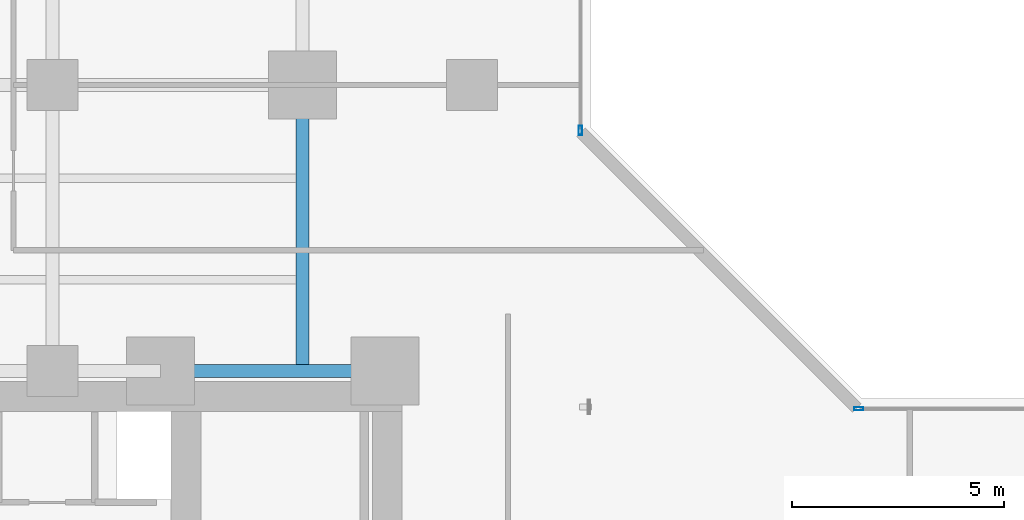
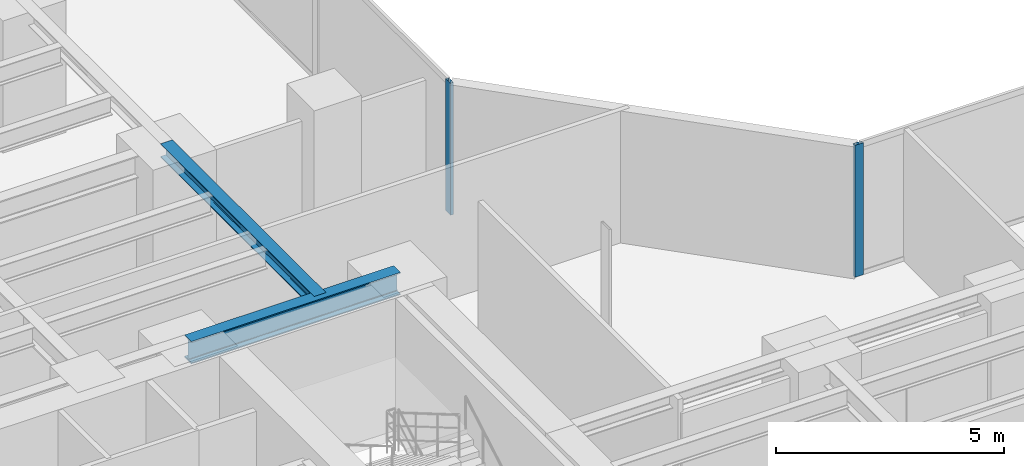
# One storey, part 8 of 29: 2 beams, 2 members, 2 elements without a shape of their own.
"""IFC4 building model written with IfcOpenShell, lengths in metres."""

import ifcopenshell
import ifcopenshell.guid

model = None  # the IFC model being written
_history = None  # IfcOwnerHistory: only IFC2X3 demands one
_inside = {}  # id of a spatial element -> (the spatial element, [elements in it])
_under = {}  # id of a project, library or spatial element -> (it, [spatial elements below it])
_declared = {}  # id of a project -> (the project, [libraries it declares])
_typed = {}  # id of a type object -> (the type object, [elements of that type])
_made_of = {}  # id of a material, layer set ... -> (it, [elements and type objects made of it])


def new_model(schema):
    """Start an empty IFC model of exactly this schema.

    Asked for "IFC4X3", IfcOpenShell would pick the latest addendum, in which some entities
    have other attributes; the version numbers below select the first issue.
    IFC2X3 requires an IfcOwnerHistory on every rooted entity: one is made here for all.
    """
    global model, _history
    if schema == "IFC4X3":
        model = ifcopenshell.file(schema_version=(4, 3, 0, 0))
    else:
        model = ifcopenshell.file(schema=schema)
    _inside.clear()
    _under.clear()
    _declared.clear()
    _typed.clear()
    _made_of.clear()
    _history = None
    if model.schema == "IFC2X3":
        org = make("IfcOrganization", Name="unknown")
        user = make(
            "IfcPersonAndOrganization",
            ThePerson=make("IfcPerson", FamilyName="unknown"),
            TheOrganization=org,
        )
        app = make(
            "IfcApplication",
            ApplicationDeveloper=org,
            Version="unknown",
            ApplicationFullName="unknown",
            ApplicationIdentifier="unknown",
        )
        _history = make(
            "IfcOwnerHistory",
            OwningUser=user,
            OwningApplication=app,
            ChangeAction="ADDED",
            CreationDate=0,
        )
    return model


def make(cls, **values):
    """One entity of the class cls with the attributes given. An attribute that is None is left unset."""
    return model.create_entity(
        cls, **{name: value for name, value in values.items() if value is not None}
    )


def rooted(cls, **values):
    """An entity with a GlobalId (a new one), such as an element, a storey or a relation."""
    return make(cls, GlobalId=ifcopenshell.guid.new(), OwnerHistory=_history, **values)


def si_unit(unit_type, name, prefix=None):
    """IfcSIUnit, for example si_unit("LENGTHUNIT", "METRE", prefix="MILLI")."""
    return make("IfcSIUnit", UnitType=unit_type, Prefix=prefix, Name=name)


def assignment(units):
    """IfcUnitAssignment: the units of a project."""
    return None if units is None else make("IfcUnitAssignment", Units=units)


def point(xyz):
    """IfcCartesianPoint."""
    return None if xyz is None else make("IfcCartesianPoint", Coordinates=xyz)


def direction(xyz):
    """IfcDirection."""
    return None if xyz is None else make("IfcDirection", DirectionRatios=xyz)


def frame(location, z_axis=None, x_axis=None):
    """IfcAxis2Placement3D, a coordinate frame: its origin and axes. An axis left out is left unset."""
    return make(
        "IfcAxis2Placement3D",
        Location=point(location),
        Axis=direction(z_axis),
        RefDirection=direction(x_axis),
    )


def frame_2d(location, x_axis=None):
    """IfcAxis2Placement2D, a coordinate frame in the plane: its origin and x axis."""
    return make(
        "IfcAxis2Placement2D", Location=point(location), RefDirection=direction(x_axis)
    )


def origin():
    """The frame at (0, 0, 0) with its axes left unset."""
    return frame((0.0, 0.0, 0.0))


def origin_with_axes():
    """The frame at (0, 0, 0) with the z axis (0, 0, 1) and the x axis (1, 0, 0) written out."""
    return frame((0.0, 0.0, 0.0), z_axis=(0.0, 0.0, 1.0), x_axis=(1.0, 0.0, 0.0))


def origin_2d():
    """The frame at (0, 0) in the plane with its x axis left unset."""
    return frame_2d((0.0, 0.0))


def place(relative_to, where):
    """IfcLocalPlacement: puts the frame where relative to a parent placement (None: the world)."""
    return make(
        "IfcLocalPlacement", PlacementRelTo=relative_to, RelativePlacement=where
    )


def context(
    kind, dimensions, precision=None, world=None, true_north=None, identifier=None
):
    """IfcGeometricRepresentationContext, for example the 3D "Model" context."""
    return make(
        "IfcGeometricRepresentationContext",
        ContextIdentifier=identifier,
        ContextType=kind,
        CoordinateSpaceDimension=dimensions,
        Precision=precision,
        WorldCoordinateSystem=world,
        TrueNorth=true_north,
    )


def subcontext(parent, identifier, kind, view, scale=None):
    """IfcGeometricRepresentationSubContext, for example "Body" below "Model"."""
    return make(
        "IfcGeometricRepresentationSubContext",
        ContextIdentifier=identifier,
        ContextType=kind,
        ParentContext=parent,
        TargetScale=scale,
        TargetView=view,
    )


def project(units=None, contexts=None):
    """IfcProject with its units and contexts."""
    return rooted(
        "IfcProject",
        Name="project",
        RepresentationContexts=contexts,
        UnitsInContext=assignment(units),
    )


def spatial(cls, under=None, at=None, **own):
    """A site, building, storey or space (cls), placed at a placement, below another one or the project."""
    s = rooted(cls, ObjectPlacement=at, **own)
    if under is not None:
        _under.setdefault(under.id(), (under, []))[1].append(s)
    return s


def profile(cls, at=None, kind="AREA", **sizes):
    """A parametric profile (cls). Its sizes go by their IFC names, for example OverallWidth=200.0."""
    return make(cls, ProfileType=kind, Position=at, **sizes)


def hollow_rectangle(**sizes):
    """IfcRectangleHollowProfileDef."""
    return profile("IfcRectangleHollowProfileDef", **sizes)


def i_section(**sizes):
    """IfcIShapeProfileDef."""
    return profile("IfcIShapeProfileDef", **sizes)


def extrude(swept, where, along, depth):
    """IfcExtrudedAreaSolid: the profile swept, set in the frame where, extruded along a direction by depth."""
    return make(
        "IfcExtrudedAreaSolid",
        SweptArea=swept,
        Position=where,
        ExtrudedDirection=direction(along),
        Depth=depth,
    )


def shape(context_of_items, identifier, shape_type, items):
    """IfcShapeRepresentation: the items that make up one representation, for example the "Body"."""
    return make(
        "IfcShapeRepresentation",
        ContextOfItems=context_of_items,
        RepresentationIdentifier=identifier,
        RepresentationType=shape_type,
        Items=items,
    )


def source(mapping_origin, context_of_items, identifier, shape_type, items):
    """IfcRepresentationMap: a shape defined once, which mapped items show again and again."""
    return make(
        "IfcRepresentationMap",
        MappingOrigin=mapping_origin,
        MappedRepresentation=shape(context_of_items, identifier, shape_type, items),
    )


def transform(
    local_origin,
    x_axis=None,
    y_axis=None,
    z_axis=None,
    scale=None,
    scale2=None,
    scale3=None,
    uniform=True,
):
    """IfcCartesianTransformationOperator3D, or its non-uniform kind. x_axis, y_axis, z_axis: its Axis1, 2, 3."""
    if uniform:
        return make(
            "IfcCartesianTransformationOperator3D",
            Axis1=direction(x_axis),
            Axis2=direction(y_axis),
            LocalOrigin=point(local_origin),
            Scale=scale,
            Axis3=direction(z_axis),
        )
    return make(
        "IfcCartesianTransformationOperator3DnonUniform",
        Axis1=direction(x_axis),
        Axis2=direction(y_axis),
        LocalOrigin=point(local_origin),
        Scale=scale,
        Axis3=direction(z_axis),
        Scale2=scale2,
        Scale3=scale3,
    )


def mapped(mapping_source, mapping_target):
    """IfcMappedItem: shows the shape of a source again, moved by a transform."""
    return make(
        "IfcMappedItem", MappingSource=mapping_source, MappingTarget=mapping_target
    )


def material(Name=None, Category=None):
    """IfcMaterial."""
    return make("IfcMaterial", Name=Name, Category=Category)


def layer(
    of_material, thickness, ventilated=None, Name=None, Category=None, Priority=None
):
    """IfcMaterialLayer: one layer of a wall or slab, of a material (None: an air gap)."""
    return make(
        "IfcMaterialLayer",
        Material=of_material,
        LayerThickness=thickness,
        IsVentilated=ventilated,
        Name=Name,
        Category=Category,
        Priority=Priority,
    )


def layer_set(layers, Name=None):
    """IfcMaterialLayerSet."""
    return make("IfcMaterialLayerSet", MaterialLayers=layers, LayerSetName=Name)


def material_profile(
    of_material, cross_section, Name=None, Category=None, Priority=None
):
    """IfcMaterialProfile: a cross section and its material."""
    return make(
        "IfcMaterialProfile",
        Name=Name,
        Material=of_material,
        Profile=cross_section,
        Priority=Priority,
        Category=Category,
    )


def profile_set(profiles, Name=None, composite=None):
    """IfcMaterialProfileSet."""
    return make(
        "IfcMaterialProfileSet",
        Name=Name,
        MaterialProfiles=profiles,
        CompositeProfile=composite,
    )


def made_of(thing, what):
    """Note that an element or type object is made of a material, layer set ...; save() writes the relation."""
    if what is not None:
        _made_of.setdefault(what.id(), (what, []))[1].append(thing)
    return thing


def type_object(cls, material=None, **own):
    """A type object (cls), such as IfcWallType, which elements share."""
    return made_of(rooted(cls, **own), material)


def element(
    cls,
    number,
    at=None,
    inside=None,
    cuts=None,
    type_object=None,
    material=None,
    context=None,
    identifier="Body",
    shape_type=None,
    held_by="IfcProductDefinitionShape",
    body=None,
    shapes=None,
    **own,
):
    """One element of the class cls, such as IfcWall. Its Tag is "e" and its number.

    at: its placement. inside: the storey or other place that contains it. cuts: it is an
    opening in that element (IfcRelVoidsElement). A single representation is given by context,
    identifier, shape_type and body (its items); several are given by shapes. held_by: the class
    of the entity that holds the representations. save() writes the other relations.
    """
    e = rooted(cls, Tag="e%d" % number, ObjectPlacement=at, **own)
    if body is not None:
        shapes = [shape(context, identifier, shape_type, body)]
    if shapes is not None:
        e.Representation = make(held_by, Representations=shapes)
    if inside is not None:
        _inside.setdefault(inside.id(), (inside, []))[1].append(e)
    if cuts is not None:
        rooted(
            "IfcRelVoidsElement", RelatingBuildingElement=cuts, RelatedOpeningElement=e
        )
    if type_object is not None:
        _typed.setdefault(type_object.id(), (type_object, []))[1].append(e)
    return made_of(e, material)


def aggregate(whole, parts):
    """IfcRelAggregates: a whole, such as a stair, and the parts it consists of."""
    return rooted("IfcRelAggregates", RelatingObject=whole, RelatedObjects=parts)


def save(model, path):
    """Write the relations noted so far, then the file.

    IfcRelAggregates (storeys below a building ...), IfcRelContainedInSpatialStructure (elements
    in a storey), IfcRelDefinesByType, IfcRelAssociatesMaterial and IfcRelDeclares: one each for
    every whole, place, type object, material and project.
    """
    for whole, parts in _under.values():
        aggregate(whole, parts)
    for where, things in _inside.values():
        rooted(
            "IfcRelContainedInSpatialStructure",
            RelatedElements=things,
            RelatingStructure=where,
        )
    for kind, things in _typed.values():
        rooted("IfcRelDefinesByType", RelatedObjects=things, RelatingType=kind)
    for what, things in _made_of.values():
        rooted("IfcRelAssociatesMaterial", RelatedObjects=things, RelatingMaterial=what)
    for by, libraries in _declared.values():
        rooted("IfcRelDeclares", RelatingContext=by, RelatedDefinitions=libraries)
    model.write(path)


model = new_model("IFC4")

# Units and contexts
model_context = context("Model", 3, precision=1e-05, world=origin(), true_north=direction((0.0, 1.0)))
body_context = subcontext(model_context, "Body", "Model", "MODEL_VIEW")
ifc_project = project(units=[si_unit("LENGTHUNIT", "METRE"), si_unit("AREAUNIT", "SQUARE_METRE"), si_unit("VOLUMEUNIT", "CUBIC_METRE"), si_unit("PLANEANGLEUNIT", "RADIAN"), si_unit("MASSUNIT", "GRAM", prefix="KILO")], contexts=[model_context])

# Site, building, storey
site_placement = place(None, origin())
site = spatial("IfcSite", under=ifc_project, at=site_placement, CompositionType="ELEMENT")
building_placement = place(site_placement, origin())
building = spatial("IfcBuilding", under=site, at=building_placement, Name="Kolvaren Waterfront Exchange", CompositionType="ELEMENT")
storey_placement = place(building_placement, frame((0.0, 0.0, 37.199951171875)))
storey = spatial("IfcBuildingStorey", under=building, at=storey_placement, Name="L09", CompositionType="ELEMENT", Elevation=37.199951171875)

# Beams
ifc_material_1 = material(Name="Steel S355", Category="steel")
ifc_material_profile_1 = material_profile(ifc_material_1, i_section(OverallWidth=0.300048828125, OverallDepth=0.360107421875, WebThickness=0.012451171875, FlangeThickness=0.0224609375, FilletRadius=0.027099609375, at=origin_2d()), Name="HEB360")
ifc_profile_set_1 = profile_set([ifc_material_profile_1], Name="Steel S355")
beam_type_1 = type_object("IfcBeamType", Name="STR-BM-HEB360", PredefinedType="SPANDREL", material=ifc_profile_set_1)
beam_1_placement = place(storey_placement, frame((18.800048828125, 24.449951171875, 3.360107421875), z_axis=(0.0, 1.0, 0.0), x_axis=(-1.0, 0.0, 0.0)))
element("IfcBeam", 1, at=beam_1_placement, inside=storey, type_object=beam_type_1, Name="L09 north-arm edge beam 1", PredefinedType="SPANDREL", context=body_context, shape_type="SweptSolid", body=[
    extrude(i_section(OverallWidth=0.300048828125, OverallDepth=0.360107421875, WebThickness=0.012451171875, FlangeThickness=0.0224609375, FilletRadius=0.027099609375, at=origin_2d()), origin(), (0.0, 0.0, 1.0), 6.75),
])
ifc_material_profile_2 = material_profile(ifc_material_1, i_section(OverallWidth=0.300048828125, OverallDepth=0.60009765625, WebThickness=0.015380859375, FlangeThickness=0.030029296875, FilletRadius=0.027099609375, at=origin_2d()), Name="HEB600")
ifc_profile_set_2 = profile_set([ifc_material_profile_2], Name="Steel S355")
beam_type_2 = type_object("IfcBeamType", Name="STR-BM-HEB600", PredefinedType="BEAM", material=ifc_profile_set_2)
beam_2_placement = place(storey_placement, frame((15.449951171875, 24.449951171875, 3.239990234375), z_axis=(1.0, 0.0, 0.0), x_axis=(0.0, 1.0, 0.0)))
element("IfcBeam", 2, at=beam_2_placement, inside=storey, type_object=beam_type_2, Name="L09 north-arm girder 1C", PredefinedType="BEAM", context=body_context, shape_type="SweptSolid", body=[
    extrude(i_section(OverallWidth=0.300048828125, OverallDepth=0.60009765625, WebThickness=0.015380859375, FlangeThickness=0.030029296875, FilletRadius=0.027099609375, at=origin_2d()), origin(), (0.0, 0.0, 1.0), 5.300048828125),
])

# Curtain wall, member
ifc_material_2 = material(Name="Anodised bronze aluminium 6063-T6", Category="aluminium")
ifc_layer = layer(ifc_material_2, 0.219970703125, Name="Anodised bronze aluminium 6063-T6")
ifc_layer_set = layer_set([ifc_layer], Name="Anodised bronze aluminium 6063-T6")
curtain_wall_type = type_object("IfcCurtainWallType", Name="ARC-CW-SYS1", PredefinedType="USERDEFINED", material=ifc_layer_set)
curtain_wall_1_placement = place(storey_placement, origin())
curtain_wall_1 = element("IfcCurtainWall", 3, at=curtain_wall_1_placement, inside=storey, type_object=curtain_wall_type, Name="L09 stick curtain wall CW1 (CW-L09-NE)", ObjectType="STICK CURTAIN WALL", PredefinedType="USERDEFINED")
ifc_material_3 = material(Name="Anodised aluminium 6063-T6", Category="aluminium")
ifc_material_profile_3 = material_profile(ifc_material_3, hollow_rectangle(XDim=0.080078125, YDim=0.219970703125, WallThickness=0.0048828125, at=origin_2d()), Name="ALU-MUL-220x80x5")
ifc_profile_set_3 = profile_set([ifc_material_profile_3], Name="Anodised aluminium 6063-T6")
member_type = type_object("IfcMemberType", Name="ARC-CWM-220", PredefinedType="MULLION", material=ifc_profile_set_3)
shared_shape = source(origin_with_axes(), body_context, "Body", "SweptSolid", [
    extrude(hollow_rectangle(XDim=0.080078125, YDim=0.219970703125, WallThickness=0.0048828125, at=origin_2d()), origin(), (0.0, 0.0, 1.0), 3.5400390625),
])
member_1_placement = place(storey_placement, frame((25.360107421875, 30.1298828125, 0.0), z_axis=(0.0, 0.0, 1.0), x_axis=(-1.0, 0.0, 0.0)))
member_1 = element("IfcMember", 4, at=member_1_placement, type_object=member_type, Name="CW1 mullion 1", PredefinedType="MULLION", context=body_context, shape_type="MappedRepresentation", body=[
    mapped(shared_shape, transform((0.0, 0.0, 0.0), x_axis=(1.0, 0.0, 0.0), y_axis=(0.0, 1.0, 0.0), z_axis=(0.0, 0.0, 1.0), scale=1.0)),
])
aggregate(curtain_wall_1, [member_1])

curtain_wall_2_placement = place(storey_placement, origin())
curtain_wall_2 = element("IfcCurtainWall", 5, at=curtain_wall_2_placement, inside=storey, type_object=curtain_wall_type, Name="L09 stick curtain wall CW1 (CW-L09-EN)", ObjectType="STICK CURTAIN WALL", PredefinedType="USERDEFINED")
member_2_placement = place(storey_placement, frame((31.929931640625, 23.56005859375, 0.0), z_axis=(0.0, 0.0, 1.0), x_axis=(0.0, 1.0, 0.0)))
member_2 = element("IfcMember", 6, at=member_2_placement, type_object=member_type, Name="CW1 mullion 1", PredefinedType="MULLION", context=body_context, shape_type="MappedRepresentation", body=[
    mapped(shared_shape, transform((0.0, 0.0, 0.0), x_axis=(1.0, 0.0, 0.0), y_axis=(0.0, 1.0, 0.0), z_axis=(0.0, 0.0, 1.0), scale=1.0)),
])
aggregate(curtain_wall_2, [member_2])

save(model, "model.ifc")
